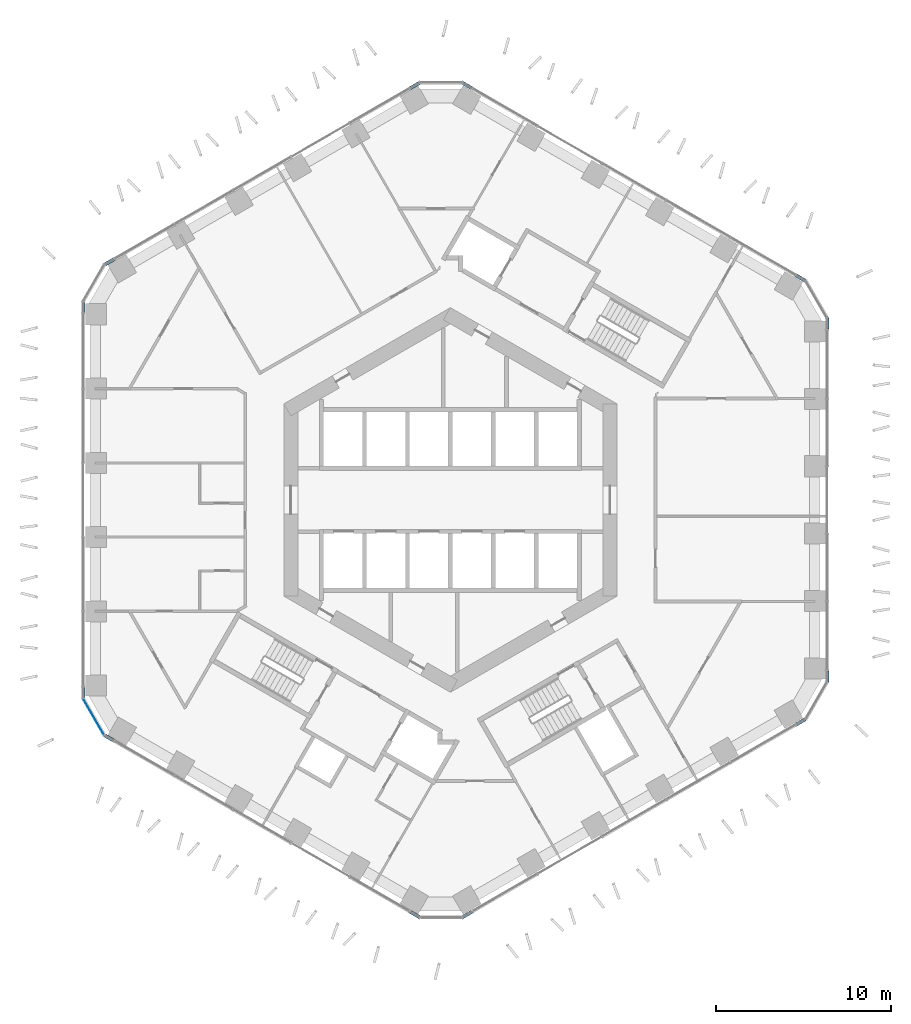
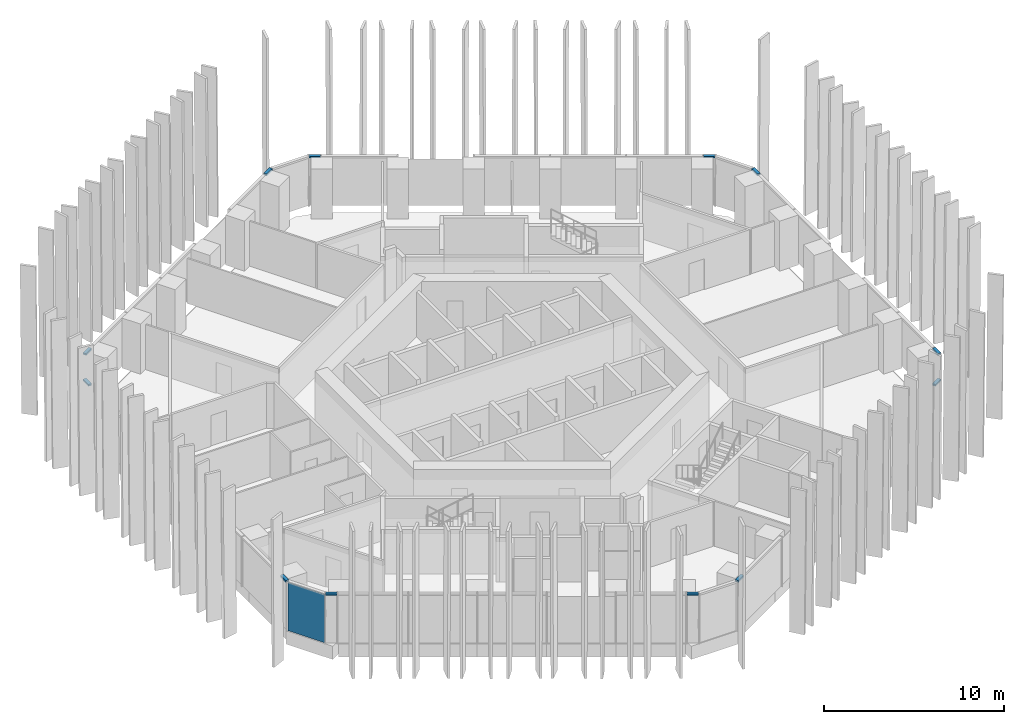
# One storey, part 7 of 19: 12 members, 1 plate, 6 elements without a shape of their own.
"""IFC4 building model written with IfcOpenShell, lengths in metres."""

from ifc_helpers import new_model, si_unit, direction, frame, origin, origin_2d, place, context, subcontext, project, spatial, rectangle, extrude, material, layer, layer_set, material_profile, profile_set, type_object, element, aggregate, save


model = new_model("IFC4")

# Units and contexts
model_context = context("Model", 3, precision=1e-05, world=origin(), true_north=direction((0.0, 1.0)))
body_context = subcontext(model_context, "Body", "Model", "MODEL_VIEW")
ifc_project = project(units=[si_unit("LENGTHUNIT", "METRE"), si_unit("AREAUNIT", "SQUARE_METRE"), si_unit("VOLUMEUNIT", "CUBIC_METRE"), si_unit("PLANEANGLEUNIT", "RADIAN"), si_unit("MASSUNIT", "GRAM", prefix="KILO")], contexts=[model_context])

# Site, building, storey
site_placement = place(None, origin())
site = spatial("IfcSite", under=ifc_project, at=site_placement, CompositionType="ELEMENT")
building_placement = place(site_placement, origin())
building = spatial("IfcBuilding", under=site, at=building_placement, Name="Ayvan Gate Tower", CompositionType="ELEMENT")
storey_placement = place(building_placement, frame((0.0, 0.0, 56.10009765625)))
storey = spatial("IfcBuildingStorey", under=building, at=storey_placement, Name="L14", CompositionType="ELEMENT", Elevation=56.10009765625)

# Curtain wall, members
ifc_material_1 = material(Name="Bronze anodised aluminium", Category="aluminium")
ifc_layer_1 = layer(ifc_material_1, 0.199951171875)
ifc_layer_set_1 = layer_set([ifc_layer_1], Name="Bronze anodised aluminium")
curtain_wall_type = type_object("IfcCurtainWallType", Name="Stick curtain wall CW-6", PredefinedType="NOTDEFINED", material=ifc_layer_set_1)
curtain_wall_1_placement = place(storey_placement, origin())
curtain_wall_1 = element("IfcCurtainWall", 1, at=curtain_wall_1_placement, inside=storey, type_object=curtain_wall_type, Name="Stick curtain wall CW-6 L14", PredefinedType="NOTDEFINED")
ifc_material_profile = material_profile(ifc_material_1, rectangle(XDim=0.199951171875, YDim=0.1201171875, at=origin_2d()), Name="Stick curtain wall CW-6 transom 200 x 120")
ifc_profile_set = profile_set([ifc_material_profile], Name="Bronze anodised aluminium")
member_type = type_object("IfcMemberType", Name="Stick curtain wall CW-6 transom 200 x 120", PredefinedType="USERDEFINED", material=ifc_profile_set)
member_1_placement = place(storey_placement, frame((-19.18017578125, 13.734619140625, 3.33984375), z_axis=(-0.866120568253, -0.499835134068, 0.0), x_axis=(0.499835134068, -0.866120568253, 0.0)))
member_1 = element("IfcMember", 2, at=member_1_placement, type_object=member_type, Name="CW-6 transom 1", ObjectType="TRANSOM", PredefinedType="USERDEFINED", context=body_context, shape_type="SweptSolid", body=[
    extrude(rectangle(XDim=0.199951171875, YDim=0.1201171875, at=origin_2d()), origin(), (0.0, 0.0, 1.0), 0.625244140625),
])
member_2_placement = place(storey_placement, frame((-20.950439453125, 11.29345703125, 3.33984375), z_axis=(0.0, -1.0, 0.0), x_axis=(1.0, 0.0, 0.0)))
member_2 = element("IfcMember", 3, at=member_2_placement, type_object=member_type, Name="CW-6 transom 3", ObjectType="TRANSOM", PredefinedType="USERDEFINED", context=body_context, shape_type="SweptSolid", body=[
    extrude(rectangle(XDim=0.199951171875, YDim=0.1201171875, at=origin_2d()), origin(), (0.0, 0.0, 1.0), 0.625),
])
aggregate(curtain_wall_1, [member_1, member_2])

curtain_wall_2_placement = place(storey_placement, origin())
curtain_wall_2 = element("IfcCurtainWall", 4, at=curtain_wall_2_placement, inside=storey, type_object=curtain_wall_type, Name="Stick curtain wall CW-6 L14", PredefinedType="NOTDEFINED")
member_3_placement = place(storey_placement, frame((-20.950439453125, -10.66845703125, 3.33984375), z_axis=(0.0, -1.0, 0.0), x_axis=(1.0, 0.0, 0.0)))
member_3 = element("IfcMember", 5, at=member_3_placement, type_object=member_type, Name="CW-6 transom 1", ObjectType="TRANSOM", PredefinedType="USERDEFINED", context=body_context, shape_type="SweptSolid", body=[
    extrude(rectangle(XDim=0.199951171875, YDim=0.1201171875, at=origin_2d()), origin(), (0.0, 0.0, 1.0), 0.625),
])
member_4_placement = place(storey_placement, frame((-19.7216796875, -13.422119140625, 3.33984375), z_axis=(0.866120568253, -0.499835134068, 0.0), x_axis=(0.499835134068, 0.866120568253, 0.0)))
member_4 = element("IfcMember", 6, at=member_4_placement, type_object=member_type, Name="CW-6 transom 3", ObjectType="TRANSOM", PredefinedType="USERDEFINED", context=body_context, shape_type="SweptSolid", body=[
    extrude(rectangle(XDim=0.199951171875, YDim=0.1201171875, at=origin_2d()), origin(), (0.0, 0.0, 1.0), 0.625244140625),
])

curtain_wall_3_placement = place(storey_placement, origin())
curtain_wall_3 = element("IfcCurtainWall", 7, at=curtain_wall_3_placement, inside=storey, type_object=curtain_wall_type, Name="Stick curtain wall CW-6 L14", PredefinedType="NOTDEFINED")
member_5_placement = place(storey_placement, frame((-2.30419921875, -23.477783203125, 3.33984375), z_axis=(0.866022959057, -0.500004234368, 0.0), x_axis=(0.500004234368, 0.866022959057, 0.0)))
member_5 = element("IfcMember", 8, at=member_5_placement, type_object=member_type, Name="CW-6 transom 1", ObjectType="TRANSOM", PredefinedType="USERDEFINED", context=body_context, shape_type="SweptSolid", body=[
    extrude(rectangle(XDim=0.199951171875, YDim=0.1201171875, at=origin_2d()), origin(), (0.0, 0.0, 1.0), 0.625),
])
member_6_placement = place(storey_placement, frame((0.69482421875, -23.790283203125, 3.33984375), z_axis=(0.866022959057, 0.500004234368, 0.0), x_axis=(-0.500004234368, 0.866022959057, 0.0)))
member_6 = element("IfcMember", 9, at=member_6_placement, type_object=member_type, Name="CW-6 transom 3", ObjectType="TRANSOM", PredefinedType="USERDEFINED", context=body_context, shape_type="SweptSolid", body=[
    extrude(rectangle(XDim=0.199951171875, YDim=0.1201171875, at=origin_2d()), origin(), (0.0, 0.0, 1.0), 0.625),
])
aggregate(curtain_wall_3, [member_5, member_6])

curtain_wall_4_placement = place(storey_placement, origin())
curtain_wall_4 = element("IfcCurtainWall", 10, at=curtain_wall_4_placement, inside=storey, type_object=curtain_wall_type, Name="Stick curtain wall CW-6 L14", PredefinedType="NOTDEFINED")
member_7_placement = place(storey_placement, frame((19.71435546875, -12.809326171875, 3.33984375), z_axis=(0.866022959057, 0.500004234368, 0.0), x_axis=(-0.500004234368, 0.866022959057, 0.0)))
member_7 = element("IfcMember", 11, at=member_7_placement, type_object=member_type, Name="CW-6 transom 1", ObjectType="TRANSOM", PredefinedType="USERDEFINED", context=body_context, shape_type="SweptSolid", body=[
    extrude(rectangle(XDim=0.199951171875, YDim=0.1201171875, at=origin_2d()), origin(), (0.0, 0.0, 1.0), 0.625),
])
member_8_placement = place(storey_placement, frame((21.484619140625, -10.368408203125, 3.33984375), z_axis=(0.0, 1.0, 0.0), x_axis=(-1.0, 0.0, 0.0)))
member_8 = element("IfcMember", 12, at=member_8_placement, type_object=member_type, Name="CW-6 transom 3", ObjectType="TRANSOM", PredefinedType="USERDEFINED", context=body_context, shape_type="SweptSolid", body=[
    extrude(rectangle(XDim=0.199951171875, YDim=0.1201171875, at=origin_2d()), origin(), (0.0, 0.0, 1.0), 0.625),
])
aggregate(curtain_wall_4, [member_7, member_8])

curtain_wall_5_placement = place(storey_placement, origin())
curtain_wall_5 = element("IfcCurtainWall", 13, at=curtain_wall_5_placement, inside=storey, type_object=curtain_wall_type, Name="Stick curtain wall CW-6 L14", PredefinedType="NOTDEFINED")
member_9_placement = place(storey_placement, frame((21.484619140625, 9.743408203125, 3.33984375), z_axis=(0.0, 1.0, 0.0), x_axis=(-1.0, 0.0, 0.0)))
member_9 = element("IfcMember", 14, at=member_9_placement, type_object=member_type, Name="CW-6 transom 1", ObjectType="TRANSOM", PredefinedType="USERDEFINED", context=body_context, shape_type="SweptSolid", body=[
    extrude(rectangle(XDim=0.199951171875, YDim=0.1201171875, at=origin_2d()), origin(), (0.0, 0.0, 1.0), 0.625),
])
member_10_placement = place(storey_placement, frame((20.255615234375, 12.496826171875, 3.33984375), z_axis=(-0.866022959057, 0.500004234368, 0.0), x_axis=(-0.500004234368, -0.866022959057, 0.0)))
member_10 = element("IfcMember", 15, at=member_10_placement, type_object=member_type, Name="CW-6 transom 3", ObjectType="TRANSOM", PredefinedType="USERDEFINED", context=body_context, shape_type="SweptSolid", body=[
    extrude(rectangle(XDim=0.199951171875, YDim=0.1201171875, at=origin_2d()), origin(), (0.0, 0.0, 1.0), 0.625),
])
aggregate(curtain_wall_5, [member_9, member_10])

curtain_wall_6_placement = place(storey_placement, origin())
curtain_wall_6 = element("IfcCurtainWall", 16, at=curtain_wall_6_placement, inside=storey, type_object=curtain_wall_type, Name="Stick curtain wall CW-6 L14", PredefinedType="NOTDEFINED")
member_11_placement = place(storey_placement, frame((1.236083984375, 23.477783203125, 3.33984375), z_axis=(-0.866022959057, 0.500004234368, 0.0), x_axis=(-0.500004234368, -0.866022959057, 0.0)))
member_11 = element("IfcMember", 17, at=member_11_placement, type_object=member_type, Name="CW-6 transom 1", ObjectType="TRANSOM", PredefinedType="USERDEFINED", context=body_context, shape_type="SweptSolid", body=[
    extrude(rectangle(XDim=0.199951171875, YDim=0.1201171875, at=origin_2d()), origin(), (0.0, 0.0, 1.0), 0.625),
])
member_12_placement = place(storey_placement, frame((-1.762939453125, 23.790283203125, 3.33984375), z_axis=(-0.866022959057, -0.500004234368, 0.0), x_axis=(0.500004234368, -0.866022959057, 0.0)))
member_12 = element("IfcMember", 18, at=member_12_placement, type_object=member_type, Name="CW-6 transom 3", ObjectType="TRANSOM", PredefinedType="USERDEFINED", context=body_context, shape_type="SweptSolid", body=[
    extrude(rectangle(XDim=0.199951171875, YDim=0.1201171875, at=origin_2d()), origin(), (0.0, 0.0, 1.0), 0.625),
])
aggregate(curtain_wall_6, [member_11, member_12])

# Plate
ifc_material_2 = material(Name="Clear low-iron laminated glass", Category="glass")
ifc_layer_2 = layer(ifc_material_2, 0.028076171875)
ifc_layer_set_2 = layer_set([ifc_layer_2], Name="Clear low-iron laminated glass")
plate_type = type_object("IfcPlateType", Name="Stick curtain wall CW-6 glass panel", PredefinedType="CURTAIN_PANEL", material=ifc_layer_set_2)
plate_placement = place(storey_placement, frame((-20.346923828125, -12.364013671875, 0.0), z_axis=(0.0, 0.0, 1.0), x_axis=(0.5, -0.866025403784, 0.0)))
plate = element("IfcPlate", 19, at=plate_placement, type_object=plate_type, Name="CW-6 glass panel 2", PredefinedType="CURTAIN_PANEL", context=body_context, shape_type="SweptSolid", body=[
    extrude(rectangle(XDim=2.364501953125, YDim=0.028076171875, at=origin_2d()), origin(), (0.0, 0.0, 1.0), 3.280029296875),
])

aggregate(curtain_wall_2, [member_3, member_4, plate])

save(model, "model.ifc")
